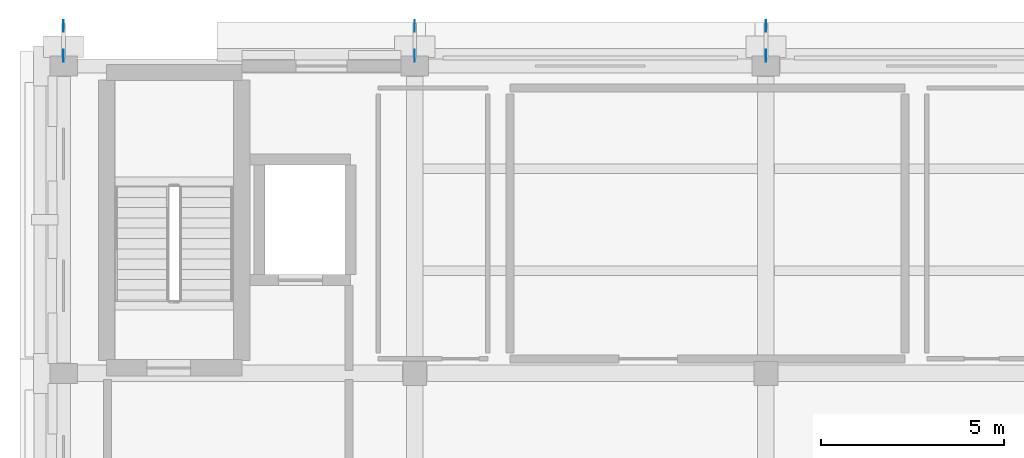
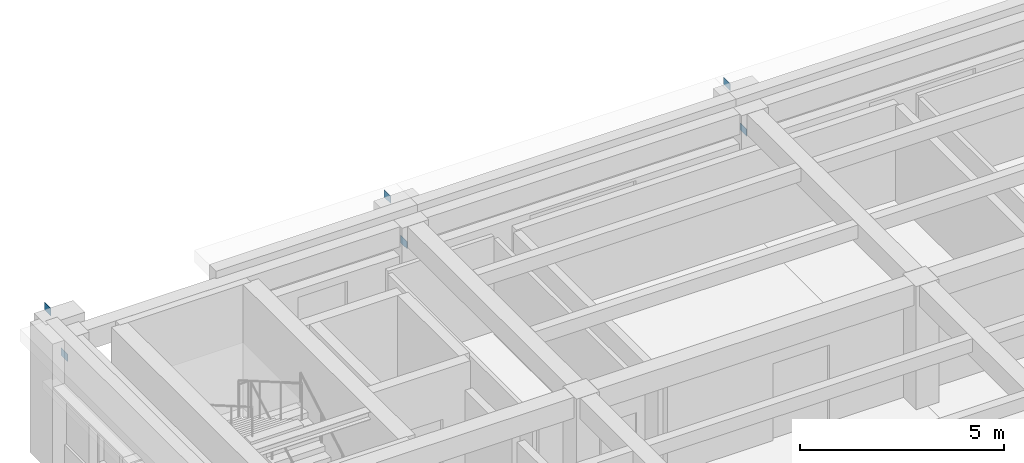
# One storey, part 2 of 9: 6 plates.
"""IFC4 building model written with IfcOpenShell, lengths in metres."""

import ifcopenshell
import ifcopenshell.guid

model = None  # the IFC model being written
_history = None  # IfcOwnerHistory: only IFC2X3 demands one
_inside = {}  # id of a spatial element -> (the spatial element, [elements in it])
_under = {}  # id of a project, library or spatial element -> (it, [spatial elements below it])
_declared = {}  # id of a project -> (the project, [libraries it declares])
_typed = {}  # id of a type object -> (the type object, [elements of that type])
_made_of = {}  # id of a material, layer set ... -> (it, [elements and type objects made of it])


def new_model(schema):
    """Start an empty IFC model of exactly this schema.

    Asked for "IFC4X3", IfcOpenShell would pick the latest addendum, in which some entities
    have other attributes; the version numbers below select the first issue.
    IFC2X3 requires an IfcOwnerHistory on every rooted entity: one is made here for all.
    """
    global model, _history
    if schema == "IFC4X3":
        model = ifcopenshell.file(schema_version=(4, 3, 0, 0))
    else:
        model = ifcopenshell.file(schema=schema)
    _inside.clear()
    _under.clear()
    _declared.clear()
    _typed.clear()
    _made_of.clear()
    _history = None
    if model.schema == "IFC2X3":
        org = make("IfcOrganization", Name="unknown")
        user = make(
            "IfcPersonAndOrganization",
            ThePerson=make("IfcPerson", FamilyName="unknown"),
            TheOrganization=org,
        )
        app = make(
            "IfcApplication",
            ApplicationDeveloper=org,
            Version="unknown",
            ApplicationFullName="unknown",
            ApplicationIdentifier="unknown",
        )
        _history = make(
            "IfcOwnerHistory",
            OwningUser=user,
            OwningApplication=app,
            ChangeAction="ADDED",
            CreationDate=0,
        )
    return model


def make(cls, **values):
    """One entity of the class cls with the attributes given. An attribute that is None is left unset."""
    return model.create_entity(
        cls, **{name: value for name, value in values.items() if value is not None}
    )


def rooted(cls, **values):
    """An entity with a GlobalId (a new one), such as an element, a storey or a relation."""
    return make(cls, GlobalId=ifcopenshell.guid.new(), OwnerHistory=_history, **values)


def si_unit(unit_type, name, prefix=None):
    """IfcSIUnit, for example si_unit("LENGTHUNIT", "METRE", prefix="MILLI")."""
    return make("IfcSIUnit", UnitType=unit_type, Prefix=prefix, Name=name)


def assignment(units):
    """IfcUnitAssignment: the units of a project."""
    return None if units is None else make("IfcUnitAssignment", Units=units)


def point(xyz):
    """IfcCartesianPoint."""
    return None if xyz is None else make("IfcCartesianPoint", Coordinates=xyz)


def direction(xyz):
    """IfcDirection."""
    return None if xyz is None else make("IfcDirection", DirectionRatios=xyz)


def frame(location, z_axis=None, x_axis=None):
    """IfcAxis2Placement3D, a coordinate frame: its origin and axes. An axis left out is left unset."""
    return make(
        "IfcAxis2Placement3D",
        Location=point(location),
        Axis=direction(z_axis),
        RefDirection=direction(x_axis),
    )


def frame_2d(location, x_axis=None):
    """IfcAxis2Placement2D, a coordinate frame in the plane: its origin and x axis."""
    return make(
        "IfcAxis2Placement2D", Location=point(location), RefDirection=direction(x_axis)
    )


def origin():
    """The frame at (0, 0, 0) with its axes left unset."""
    return frame((0.0, 0.0, 0.0))


def origin_2d():
    """The frame at (0, 0) in the plane with its x axis left unset."""
    return frame_2d((0.0, 0.0))


def place(relative_to, where):
    """IfcLocalPlacement: puts the frame where relative to a parent placement (None: the world)."""
    return make(
        "IfcLocalPlacement", PlacementRelTo=relative_to, RelativePlacement=where
    )


def context(
    kind, dimensions, precision=None, world=None, true_north=None, identifier=None
):
    """IfcGeometricRepresentationContext, for example the 3D "Model" context."""
    return make(
        "IfcGeometricRepresentationContext",
        ContextIdentifier=identifier,
        ContextType=kind,
        CoordinateSpaceDimension=dimensions,
        Precision=precision,
        WorldCoordinateSystem=world,
        TrueNorth=true_north,
    )


def subcontext(parent, identifier, kind, view, scale=None):
    """IfcGeometricRepresentationSubContext, for example "Body" below "Model"."""
    return make(
        "IfcGeometricRepresentationSubContext",
        ContextIdentifier=identifier,
        ContextType=kind,
        ParentContext=parent,
        TargetScale=scale,
        TargetView=view,
    )


def project(units=None, contexts=None):
    """IfcProject with its units and contexts."""
    return rooted(
        "IfcProject",
        Name="project",
        RepresentationContexts=contexts,
        UnitsInContext=assignment(units),
    )


def spatial(cls, under=None, at=None, **own):
    """A site, building, storey or space (cls), placed at a placement, below another one or the project."""
    s = rooted(cls, ObjectPlacement=at, **own)
    if under is not None:
        _under.setdefault(under.id(), (under, []))[1].append(s)
    return s


def profile(cls, at=None, kind="AREA", **sizes):
    """A parametric profile (cls). Its sizes go by their IFC names, for example OverallWidth=200.0."""
    return make(cls, ProfileType=kind, Position=at, **sizes)


def rectangle(**sizes):
    """IfcRectangleProfileDef."""
    return profile("IfcRectangleProfileDef", **sizes)


def extrude(swept, where, along, depth):
    """IfcExtrudedAreaSolid: the profile swept, set in the frame where, extruded along a direction by depth."""
    return make(
        "IfcExtrudedAreaSolid",
        SweptArea=swept,
        Position=where,
        ExtrudedDirection=direction(along),
        Depth=depth,
    )


def shape(context_of_items, identifier, shape_type, items):
    """IfcShapeRepresentation: the items that make up one representation, for example the "Body"."""
    return make(
        "IfcShapeRepresentation",
        ContextOfItems=context_of_items,
        RepresentationIdentifier=identifier,
        RepresentationType=shape_type,
        Items=items,
    )


def material(Name=None, Category=None):
    """IfcMaterial."""
    return make("IfcMaterial", Name=Name, Category=Category)


def layer(
    of_material, thickness, ventilated=None, Name=None, Category=None, Priority=None
):
    """IfcMaterialLayer: one layer of a wall or slab, of a material (None: an air gap)."""
    return make(
        "IfcMaterialLayer",
        Material=of_material,
        LayerThickness=thickness,
        IsVentilated=ventilated,
        Name=Name,
        Category=Category,
        Priority=Priority,
    )


def layer_set(layers, Name=None):
    """IfcMaterialLayerSet."""
    return make("IfcMaterialLayerSet", MaterialLayers=layers, LayerSetName=Name)


def made_of(thing, what):
    """Note that an element or type object is made of a material, layer set ...; save() writes the relation."""
    if what is not None:
        _made_of.setdefault(what.id(), (what, []))[1].append(thing)
    return thing


def type_object(cls, material=None, **own):
    """A type object (cls), such as IfcWallType, which elements share."""
    return made_of(rooted(cls, **own), material)


def element(
    cls,
    number,
    at=None,
    inside=None,
    cuts=None,
    type_object=None,
    material=None,
    context=None,
    identifier="Body",
    shape_type=None,
    held_by="IfcProductDefinitionShape",
    body=None,
    shapes=None,
    **own,
):
    """One element of the class cls, such as IfcWall. Its Tag is "e" and its number.

    at: its placement. inside: the storey or other place that contains it. cuts: it is an
    opening in that element (IfcRelVoidsElement). A single representation is given by context,
    identifier, shape_type and body (its items); several are given by shapes. held_by: the class
    of the entity that holds the representations. save() writes the other relations.
    """
    e = rooted(cls, Tag="e%d" % number, ObjectPlacement=at, **own)
    if body is not None:
        shapes = [shape(context, identifier, shape_type, body)]
    if shapes is not None:
        e.Representation = make(held_by, Representations=shapes)
    if inside is not None:
        _inside.setdefault(inside.id(), (inside, []))[1].append(e)
    if cuts is not None:
        rooted(
            "IfcRelVoidsElement", RelatingBuildingElement=cuts, RelatedOpeningElement=e
        )
    if type_object is not None:
        _typed.setdefault(type_object.id(), (type_object, []))[1].append(e)
    return made_of(e, material)


def aggregate(whole, parts):
    """IfcRelAggregates: a whole, such as a stair, and the parts it consists of."""
    return rooted("IfcRelAggregates", RelatingObject=whole, RelatedObjects=parts)


def save(model, path):
    """Write the relations noted so far, then the file.

    IfcRelAggregates (storeys below a building ...), IfcRelContainedInSpatialStructure (elements
    in a storey), IfcRelDefinesByType, IfcRelAssociatesMaterial and IfcRelDeclares: one each for
    every whole, place, type object, material and project.
    """
    for whole, parts in _under.values():
        aggregate(whole, parts)
    for where, things in _inside.values():
        rooted(
            "IfcRelContainedInSpatialStructure",
            RelatedElements=things,
            RelatingStructure=where,
        )
    for kind, things in _typed.values():
        rooted("IfcRelDefinesByType", RelatedObjects=things, RelatingType=kind)
    for what, things in _made_of.values():
        rooted("IfcRelAssociatesMaterial", RelatedObjects=things, RelatingMaterial=what)
    for by, libraries in _declared.values():
        rooted("IfcRelDeclares", RelatingContext=by, RelatedDefinitions=libraries)
    model.write(path)


model = new_model("IFC4")

# Units and contexts
model_context = context("Model", 3, precision=1e-05, world=origin(), true_north=direction((0.0, 1.0)))
body_context = subcontext(model_context, "Body", "Model", "MODEL_VIEW")
ifc_project = project(units=[si_unit("LENGTHUNIT", "METRE"), si_unit("AREAUNIT", "SQUARE_METRE"), si_unit("VOLUMEUNIT", "CUBIC_METRE"), si_unit("PLANEANGLEUNIT", "RADIAN"), si_unit("MASSUNIT", "GRAM", prefix="KILO")], contexts=[model_context])

# Site, building, storey
site_placement = place(None, origin())
site = spatial("IfcSite", under=ifc_project, at=site_placement, CompositionType="ELEMENT")
building_placement = place(site_placement, origin())
building = spatial("IfcBuilding", under=site, at=building_placement, Name="Bempovik Park Faculty of Sciences", CompositionType="ELEMENT")
storey_placement = place(building_placement, frame((0.0, 0.0, 46.199951171875)))
storey = spatial("IfcBuildingStorey", under=building, at=storey_placement, Name="L11", CompositionType="ELEMENT", Elevation=46.199951171875)

# Plates
ifc_material = material(Name="Steel S355", Category="steel")
ifc_layer = layer(ifc_material, 0.011962890625)
ifc_layer_set = layer_set([ifc_layer], Name="Steel S355")
plate_type = type_object("IfcPlateType", Name="PL-26 Steel Plate 320x220x12", PredefinedType="SHEET", material=ifc_layer_set)
for number, where, z_axis, x_axis, name in (
    (1, (69.60009765625, 119.680908203125, 2.68994140625), (0.0, 0.0, 1.0), (1.0, 0.0, 0.0), "Brace/Strut End Gusset Plate STR-EAVE-V5-1-E1"),
    (2, (69.60009765625, 120.5, 3.56005859375), (0.0, 0.0, 1.0), (1.0, 0.0, 0.0), "Brace/Strut End Gusset Plate STR-EAVE-V5-1-E2"),
    (3, (79.199951171875, 119.680908203125, 2.68994140625), (0.0, 0.0, 1.0), (1.0, 0.0, 0.0), "Brace/Strut End Gusset Plate STR-EAVE-V5-2-E1"),
    (4, (79.199951171875, 120.5, 3.56005859375), (0.0, 0.0, 1.0), (1.0, 0.0, 0.0), "Brace/Strut End Gusset Plate STR-EAVE-V5-2-E2"),
    (5, (88.800048828125, 119.680908203125, 2.68994140625), (0.0, 0.0, 1.0), (1.0, 0.0, 0.0), "Brace/Strut End Gusset Plate STR-EAVE-V5-3-E1"),
    (6, (88.800048828125, 120.5, 3.56005859375), (0.0, 0.0, 1.0), (1.0, 0.0, 0.0), "Brace/Strut End Gusset Plate STR-EAVE-V5-3-E2"),
):
    element("IfcPlate", number, at=place(storey_placement, frame(where, z_axis=z_axis, x_axis=x_axis)), inside=storey, type_object=plate_type, Name=name, PredefinedType="SHEET", context=body_context, shape_type="SweptSolid", body=[
        extrude(rectangle(XDim=0.011962890625, YDim=0.320068359375, at=origin_2d()), origin(), (0.0, 0.0, 1.0), 0.219970703125),
    ])

save(model, "model.ifc")
